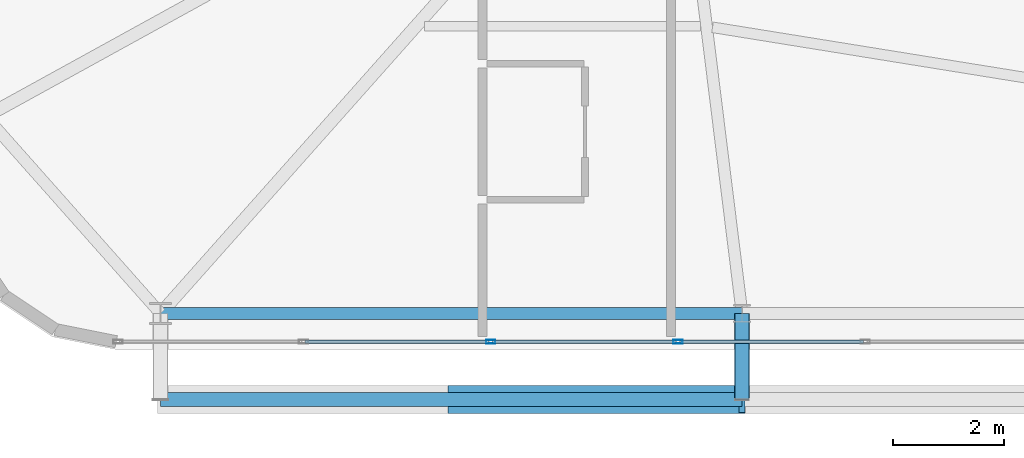
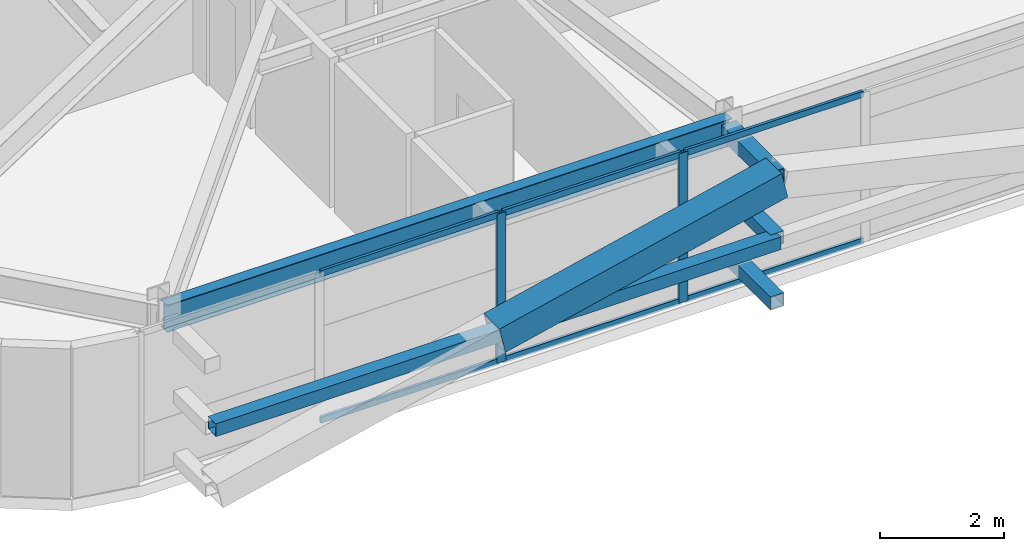
# One storey, part 6 of 59: 13 members, 1 beam, 1 element without a shape of its own.
"""IFC4 building model written with IfcOpenShell, lengths in metres."""

from ifc_helpers import new_model, si_unit, direction, frame, origin, origin_2d, place, context, subcontext, project, spatial, hollow_rectangle, i_section, extrude, source, transform, mapped, material, layer, layer_set, material_profile, profile_set, type_object, element, aggregate, save


model = new_model("IFC4")

# Units and contexts
model_context = context("Model", 3, precision=1e-05, world=origin(), true_north=direction((0.0, 1.0)))
body_context = subcontext(model_context, "Body", "Model", "MODEL_VIEW")
ifc_project = project(units=[si_unit("LENGTHUNIT", "METRE"), si_unit("AREAUNIT", "SQUARE_METRE"), si_unit("VOLUMEUNIT", "CUBIC_METRE"), si_unit("PLANEANGLEUNIT", "RADIAN"), si_unit("MASSUNIT", "GRAM", prefix="KILO")], contexts=[model_context])

# Site, building, storey
site_placement = place(None, origin())
site = spatial("IfcSite", under=ifc_project, at=site_placement, CompositionType="ELEMENT")
building_placement = place(site_placement, origin())
building = spatial("IfcBuilding", under=site, at=building_placement, Name="Taldren Reach Tower", CompositionType="ELEMENT")
storey_placement = place(building_placement, frame((0.0, 0.0, 29.39990234375)))
storey = spatial("IfcBuildingStorey", under=building, at=storey_placement, Name="L08", CompositionType="ELEMENT", Elevation=29.39990234375)

# Beam
ifc_material_1 = material(Name="Steel Gr 350 (350PLUS)", Category="steel")
ifc_material_profile_1 = material_profile(ifc_material_1, i_section(OverallWidth=0.208984375, OverallDepth=0.528076171875, WebThickness=0.009521484375, FlangeThickness=0.01318359375, at=origin_2d()), Name="530UB82.0")
ifc_profile_set_1 = profile_set([ifc_material_profile_1], Name="Steel Gr 350 (350PLUS)")
beam_type = type_object("IfcBeamType", Name="SP-UB530B", PredefinedType="SPANDREL", material=ifc_profile_set_1)
shared_shape_1 = source(origin(), body_context, "Body", "SweptSolid", [
    extrude(i_section(OverallWidth=0.208984375, OverallDepth=0.528076171875, WebThickness=0.009521484375, FlangeThickness=0.01318359375, at=origin_2d()), origin(), (0.0, 0.0, 1.0), 10.47998046875),
])
beam_placement = place(storey_placement, frame((8.800048828125, 2.14990234375, 2.666015625), z_axis=(1.0, 0.0, 0.0), x_axis=(0.0, 1.0, 0.0)))
element("IfcBeam", 1, at=beam_placement, inside=storey, type_object=beam_type, Name="Perimeter spandrel B1 S1-S2 L08", PredefinedType="SPANDREL", context=body_context, shape_type="MappedRepresentation", body=[
    mapped(shared_shape_1, transform((0.0, 0.0, 0.0), scale=1.0)),
])

# Members
ifc_material_2 = material(Name="Steel Gr 450 (C450L0)", Category="steel")
ifc_material_profile_2 = material_profile(ifc_material_2, hollow_rectangle(XDim=0.27490234375, YDim=0.27490234375, WallThickness=0.00927734375, at=origin_2d()), Name="275x275x9.3SHS")
ifc_profile_set_2 = profile_set([ifc_material_profile_2], Name="Steel Gr 450 (C450L0)")
member_type_1 = type_object("IfcMemberType", Name="MB-TIE273", PredefinedType="STRUT", material=ifc_profile_set_2)
shared_shape_2 = source(origin(), body_context, "Body", "SweptSolid", [
    extrude(hollow_rectangle(XDim=0.27490234375, YDim=0.27490234375, WallThickness=0.00927734375, at=origin_2d()), origin(), (0.0, 0.0, 1.0), 1.5498046875),
])
member_1_placement = place(storey_placement, frame((19.280029296875, 2.14990234375, 2.650146484375), z_axis=(0.0, -1.0, 0.0), x_axis=(1.0, 0.0, 0.0)))
element("IfcMember", 2, at=member_1_placement, inside=storey, type_object=member_type_1, Name="Exoskeleton diaphragm tie strut B1-S2 L08", PredefinedType="STRUT", context=body_context, shape_type="MappedRepresentation", body=[
    mapped(shared_shape_2, transform((0.0, 0.0, 0.0), scale=1.0)),
])
ifc_material_profile_3 = material_profile(ifc_material_2, hollow_rectangle(XDim=0.510009765625, YDim=0.510009765625, WallThickness=0.02001953125, at=origin_2d()), Name="510x510x20.0SHS")
ifc_profile_set_3 = profile_set([ifc_material_profile_3], Name="Steel Gr 450 (C450L0)")
member_type_2 = type_object("IfcMemberType", Name="MB-EXO508", PredefinedType="BRACE", material=ifc_profile_set_3)
shared_shape_3 = source(origin(), body_context, "Body", "SweptSolid", [
    extrude(hollow_rectangle(XDim=0.510009765625, YDim=0.510009765625, WallThickness=0.02001953125, at=origin_2d()), origin(), (0.0, 0.0, 1.0), 5.37890625),
])
member_2_placement = place(storey_placement, frame((14.0400390625, 0.60009765625, 1.43505859375), z_axis=(0.97415197996, 0.0, 0.225893603143), x_axis=(0.0, 1.0, 0.0)))
element("IfcMember", 3, at=member_2_placement, inside=storey, type_object=member_type_2, Name="Exoskeleton Diagrid Brace B1-S1 L08", PredefinedType="BRACE", context=body_context, shape_type="MappedRepresentation", body=[
    mapped(shared_shape_3, transform((0.0, 0.0, 0.0), scale=1.0)),
])
ifc_material_3 = material(Name="Steel Gr 350 (C350L0)", Category="steel")
ifc_material_profile_4 = material_profile(ifc_material_3, hollow_rectangle(XDim=0.25, YDim=0.25, WallThickness=0.010009765625, at=origin_2d()), Name="250x250x10.0SHS")
ifc_profile_set_4 = profile_set([ifc_material_profile_4], Name="Steel Gr 350 (C350L0)")
member_type_3 = type_object("IfcMemberType", Name="MB-POST250", PredefinedType="POST", material=ifc_profile_set_4)
shared_shape_4 = source(origin(), body_context, "Body", "SweptSolid", [
    extrude(hollow_rectangle(XDim=0.25, YDim=0.25, WallThickness=0.010009765625, at=origin_2d()), origin(), (0.0, 0.0, 1.0), 10.47998046875),
])
member_3_placement = place(storey_placement, frame((8.800048828125, 0.60009765625, 1.43505859375), z_axis=(1.0, 0.0, 0.0), x_axis=(0.0, 1.0, 0.0)))
element("IfcMember", 4, at=member_3_placement, inside=storey, type_object=member_type_3, Name="Exoskeleton mid-height ring chord B1-S1 L08", PredefinedType="POST", context=body_context, shape_type="MappedRepresentation", body=[
    mapped(shared_shape_4, transform((0.0, 0.0, 0.0), scale=1.0)),
])
shared_shape_5 = source(origin(), body_context, "Body", "SweptSolid", [
    extrude(hollow_rectangle(XDim=0.25, YDim=0.25, WallThickness=0.010009765625, at=origin_2d()), origin(), (0.0, 0.0, 1.0), 1.5498046875),
])
for number, where, z_axis, x_axis, name in (
    (5, (19.280029296875, 2.14990234375, 0.22021484375), (0.0, -1.0, 0.0), (1.0, 0.0, 0.0), "Exoskeleton base diaphragm tie strut B1-S2 L08"),
    (6, (19.280029296875, 2.14990234375, 1.43505859375), (0.0, -1.0, 0.0), (1.0, 0.0, 0.0), "Exoskeleton mid-tier diaphragm tie B1-S2 L08"),
):
    element("IfcMember", number, at=place(storey_placement, frame(where, z_axis=z_axis, x_axis=x_axis)), inside=storey, type_object=member_type_3, Name=name, PredefinedType="POST", context=body_context, shape_type="MappedRepresentation", body=[
        mapped(shared_shape_5, transform((0.0, 0.0, 0.0), scale=1.0)),
    ])

# Curtain wall, members
ifc_material_4 = material(Name="Aluminium and Low-E Glass Unitised System", Category="aluminium")
ifc_layer = layer(ifc_material_4, 0.159912109375)
ifc_layer_set = layer_set([ifc_layer], Name="Aluminium and Low-E Glass Unitised System")
curtain_wall_type = type_object("IfcCurtainWallType", Name="CW-SYS-2", PredefinedType="NOTDEFINED", material=ifc_layer_set)
curtain_wall_placement = place(storey_placement, origin())
curtain_wall = element("IfcCurtainWall", 7, at=curtain_wall_placement, inside=storey, type_object=curtain_wall_type, Name="Unitised curtain wall CW-L08-S", PredefinedType="NOTDEFINED")
ifc_material_5 = material(Name="Anodised Aluminium 6063-T6", Category="aluminium")
ifc_material_profile_5 = material_profile(ifc_material_5, hollow_rectangle(XDim=0.054931640625, YDim=0.1201171875, WallThickness=0.0029296875, at=origin_2d()), Name="ALU-120x55x3RHS")
ifc_profile_set_5 = profile_set([ifc_material_profile_5], Name="Anodised Aluminium 6063-T6")
member_type_4 = type_object("IfcMemberType", Name="CW-TRN-135", PredefinedType="USERDEFINED", material=ifc_profile_set_5)
shared_shape_6 = source(origin(), body_context, "Body", "SweptSolid", [
    extrude(hollow_rectangle(XDim=0.054931640625, YDim=0.1201171875, WallThickness=0.0029296875, at=origin_2d()), origin(), (0.0, 0.0, 1.0), 3.31005859375),
])
member_4_placement = place(storey_placement, frame((11.407470703125, 1.639892578125, 0.027587890625), z_axis=(1.0, 0.0, 0.0), x_axis=(0.0, 1.0, 0.0)))
member_4 = element("IfcMember", 8, at=member_4_placement, type_object=member_type_4, Name="CW-2 transom 2.1", ObjectType="TRANSOM", PredefinedType="USERDEFINED", context=body_context, shape_type="MappedRepresentation", body=[
    mapped(shared_shape_6, transform((0.0, 0.0, 0.0), scale=1.0)),
])
member_5_placement = place(storey_placement, frame((11.407470703125, 1.639892578125, 2.902587890625), z_axis=(1.0, 0.0, 0.0), x_axis=(0.0, 1.0, 0.0)))
member_5 = element("IfcMember", 9, at=member_5_placement, type_object=member_type_4, Name="CW-2 transom 2.2", ObjectType="TRANSOM", PredefinedType="USERDEFINED", context=body_context, shape_type="MappedRepresentation", body=[
    mapped(shared_shape_6, transform((0.0, 0.0, 0.0), scale=1.0)),
])
member_6_placement = place(storey_placement, frame((14.782470703125, 1.639892578125, 0.027587890625), z_axis=(1.0, 0.0, 0.0), x_axis=(0.0, 1.0, 0.0)))
member_6 = element("IfcMember", 10, at=member_6_placement, type_object=member_type_4, Name="CW-2 transom 3.1", ObjectType="TRANSOM", PredefinedType="USERDEFINED", context=body_context, shape_type="MappedRepresentation", body=[
    mapped(shared_shape_6, transform((0.0, 0.0, 0.0), scale=1.0)),
])
member_7_placement = place(storey_placement, frame((14.782470703125, 1.639892578125, 2.902587890625), z_axis=(1.0, 0.0, 0.0), x_axis=(0.0, 1.0, 0.0)))
member_7 = element("IfcMember", 11, at=member_7_placement, type_object=member_type_4, Name="CW-2 transom 3.2", ObjectType="TRANSOM", PredefinedType="USERDEFINED", context=body_context, shape_type="MappedRepresentation", body=[
    mapped(shared_shape_6, transform((0.0, 0.0, 0.0), scale=1.0)),
])
member_8_placement = place(storey_placement, frame((18.157470703125, 1.639892578125, 0.027587890625), z_axis=(1.0, 0.0, 0.0), x_axis=(0.0, 1.0, 0.0)))
member_8 = element("IfcMember", 12, at=member_8_placement, type_object=member_type_4, Name="CW-2 transom 4.1", ObjectType="TRANSOM", PredefinedType="USERDEFINED", context=body_context, shape_type="MappedRepresentation", body=[
    mapped(shared_shape_6, transform((0.0, 0.0, 0.0), scale=1.0)),
])
member_9_placement = place(storey_placement, frame((18.157470703125, 1.639892578125, 2.902587890625), z_axis=(1.0, 0.0, 0.0), x_axis=(0.0, 1.0, 0.0)))
member_9 = element("IfcMember", 13, at=member_9_placement, type_object=member_type_4, Name="CW-2 transom 4.2", ObjectType="TRANSOM", PredefinedType="USERDEFINED", context=body_context, shape_type="MappedRepresentation", body=[
    mapped(shared_shape_6, transform((0.0, 0.0, 0.0), scale=1.0)),
])
ifc_material_profile_6 = material_profile(ifc_material_5, hollow_rectangle(XDim=0.06494140625, YDim=0.1650390625, WallThickness=0.00390625, at=origin_2d()), Name="ALU-165x65x4RHS")
ifc_profile_set_6 = profile_set([ifc_material_profile_6], Name="Anodised Aluminium 6063-T6")
member_type_5 = type_object("IfcMemberType", Name="CW-MUL-165", PredefinedType="MULLION", material=ifc_profile_set_6)
shared_shape_7 = source(origin(), body_context, "Body", "SweptSolid", [
    extrude(hollow_rectangle(XDim=0.06494140625, YDim=0.1650390625, WallThickness=0.00390625, at=origin_2d()), origin(), (0.0, 0.0, 1.0), 2.93017578125),
])
member_10_placement = place(storey_placement, frame((14.75, 1.639892578125, 0.0), z_axis=(0.0, 0.0, 1.0), x_axis=(0.0, 1.0, 0.0)))
member_10 = element("IfcMember", 14, at=member_10_placement, type_object=member_type_5, Name="CW-2 mullion 3", PredefinedType="MULLION", context=body_context, shape_type="MappedRepresentation", body=[
    mapped(shared_shape_7, transform((0.0, 0.0, 0.0), scale=1.0)),
])
member_11_placement = place(storey_placement, frame((18.125, 1.639892578125, 0.0), z_axis=(0.0, 0.0, 1.0), x_axis=(0.0, 1.0, 0.0)))
member_11 = element("IfcMember", 15, at=member_11_placement, type_object=member_type_5, Name="CW-2 mullion 4", PredefinedType="MULLION", context=body_context, shape_type="MappedRepresentation", body=[
    mapped(shared_shape_7, transform((0.0, 0.0, 0.0), scale=1.0)),
])
aggregate(curtain_wall, [member_10, member_11, member_4, member_5, member_6, member_7, member_8, member_9])

save(model, "model.ifc")
